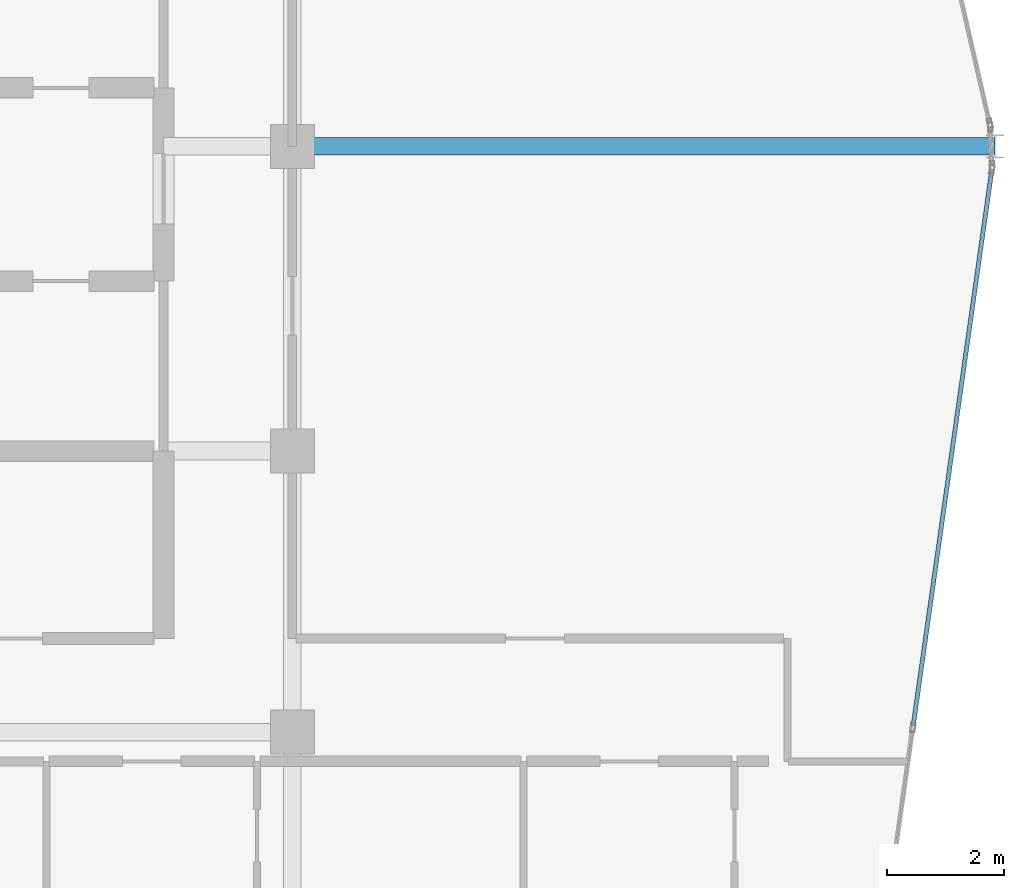
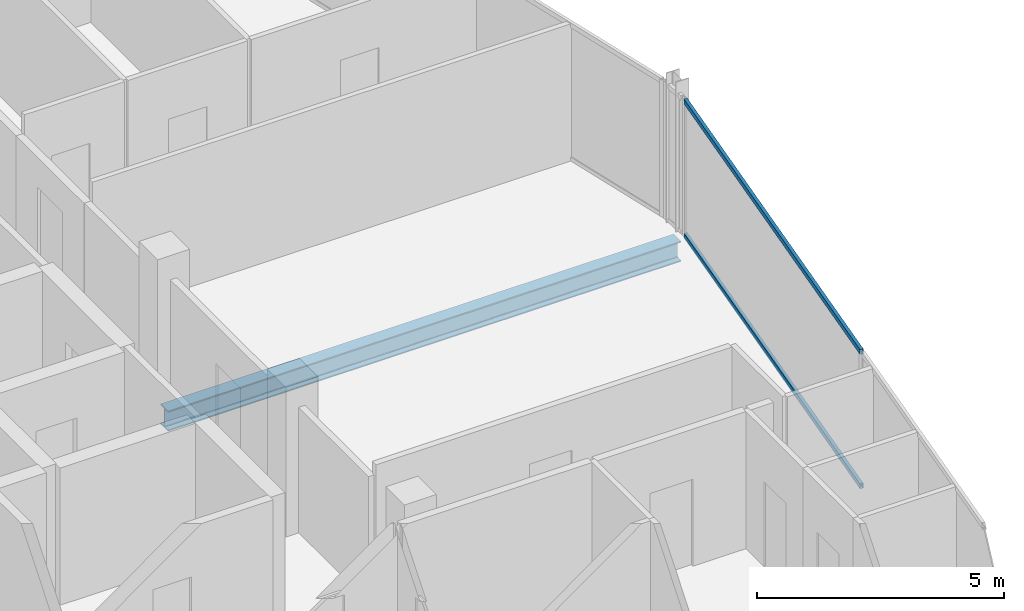
# One storey, part 13 of 27: 2 members, 1 beam, 1 element without a shape of its own.
"""IFC4 building model written with IfcOpenShell, lengths in metres."""

from ifc_helpers import new_model, si_unit, direction, frame, origin, origin_2d, place, context, subcontext, project, spatial, hollow_rectangle, i_section, extrude, material, layer, layer_set, material_profile, profile_set, type_object, element, aggregate, save


model = new_model("IFC4")

# Units and contexts
model_context = context("Model", 3, precision=1e-05, world=origin(), true_north=direction((0.0, 1.0)))
body_context = subcontext(model_context, "Body", "Model", "MODEL_VIEW")
ifc_project = project(units=[si_unit("LENGTHUNIT", "METRE"), si_unit("AREAUNIT", "SQUARE_METRE"), si_unit("VOLUMEUNIT", "CUBIC_METRE"), si_unit("PLANEANGLEUNIT", "RADIAN"), si_unit("MASSUNIT", "GRAM", prefix="KILO")], contexts=[model_context])

# Site, building, storey
site_placement = place(None, origin())
site = spatial("IfcSite", under=ifc_project, at=site_placement, CompositionType="ELEMENT")
building_placement = place(site_placement, origin())
building = spatial("IfcBuilding", under=site, at=building_placement, Name="Keshet Zoharim Tower", CompositionType="ELEMENT")
storey_placement = place(building_placement, frame((0.0, 0.0, 269.5)))
storey = spatial("IfcBuildingStorey", under=building, at=storey_placement, Name="L67", CompositionType="ELEMENT", Elevation=269.5)

# Beam
ifc_material_1 = material(Name="Steel S355", Category="steel")
ifc_material_profile_1 = material_profile(ifc_material_1, i_section(OverallWidth=0.300048828125, OverallDepth=0.5, WebThickness=0.014404296875, FlangeThickness=0.028076171875, FilletRadius=0.027099609375, at=origin_2d()), Name="HEB500")
ifc_profile_set_1 = profile_set([ifc_material_profile_1], Name="Steel S355")
beam_type = type_object("IfcBeamType", Name="BM-MED-HB500", PredefinedType="BEAM", material=ifc_profile_set_1)
beam_placement = place(storey_placement, frame((33.0, 27.89990234375, -0.56005859375), z_axis=(1.0, 0.0, 0.0), x_axis=(0.0, 1.0, 0.0)))
element("IfcBeam", 1, at=beam_placement, inside=storey, type_object=beam_type, Name="L67 Primary Girder X-007", PredefinedType="BEAM", context=body_context, shape_type="SweptSolid", body=[
    extrude(i_section(OverallWidth=0.300048828125, OverallDepth=0.5, WebThickness=0.014404296875, FlangeThickness=0.028076171875, FilletRadius=0.027099609375, at=origin_2d()), origin(), (0.0, 0.0, 1.0), 12.0),
])

# Curtain wall, members
ifc_material_2 = material(Name="Aluminium 6063-T6", Category="aluminium")
ifc_layer = layer(ifc_material_2, 0.260009765625)
ifc_layer_set = layer_set([ifc_layer], Name="Aluminium 6063-T6")
curtain_wall_type = type_object("IfcCurtainWallType", Name="CW-SYS-06", PredefinedType="NOTDEFINED", material=ifc_layer_set)
curtain_wall_placement = place(storey_placement, origin())
curtain_wall = element("IfcCurtainWall", 2, at=curtain_wall_placement, inside=storey, type_object=curtain_wall_type, Name="L67 Unitised Curtain Wall 11", PredefinedType="NOTDEFINED")
ifc_material_profile_2 = material_profile(ifc_material_2, hollow_rectangle(XDim=0.074951171875, YDim=0.1201171875, WallThickness=0.00390625, at=origin_2d()), Name="TRN-75x120")
ifc_profile_set_2 = profile_set([ifc_material_profile_2], Name="Aluminium 6063-T6")
member_type = type_object("IfcMemberType", Name="CWT-T12", PredefinedType="USERDEFINED", material=ifc_profile_set_2)
member_1_placement = place(storey_placement, frame((44.938232421875, 27.462646484375, 0.034912109375), z_axis=(-0.140150169695, -0.990130259074, 0.0), x_axis=(0.990130259074, -0.140150169695, 0.0)))
member_1 = element("IfcMember", 3, at=member_1_placement, type_object=member_type, Name="CW-06 transom 1.1", ObjectType="TRANSOM", PredefinedType="USERDEFINED", context=body_context, shape_type="SweptSolid", body=[
    extrude(hollow_rectangle(XDim=0.074951171875, YDim=0.1201171875, WallThickness=0.00390625, at=origin_2d()), origin(), (0.0, 0.0, 1.0), 9.546142578125),
])
member_2_placement = place(storey_placement, frame((44.938232421875, 27.462646484375, 3.35498046875), z_axis=(-0.140150169695, -0.990130259074, 0.0), x_axis=(0.990130259074, -0.140150169695, 0.0)))
member_2 = element("IfcMember", 4, at=member_2_placement, type_object=member_type, Name="CW-06 transom 1.2", ObjectType="TRANSOM", PredefinedType="USERDEFINED", context=body_context, shape_type="SweptSolid", body=[
    extrude(hollow_rectangle(XDim=0.074951171875, YDim=0.1201171875, WallThickness=0.00390625, at=origin_2d()), origin(), (0.0, 0.0, 1.0), 9.546142578125),
])
aggregate(curtain_wall, [member_1, member_2])

save(model, "model.ifc")
